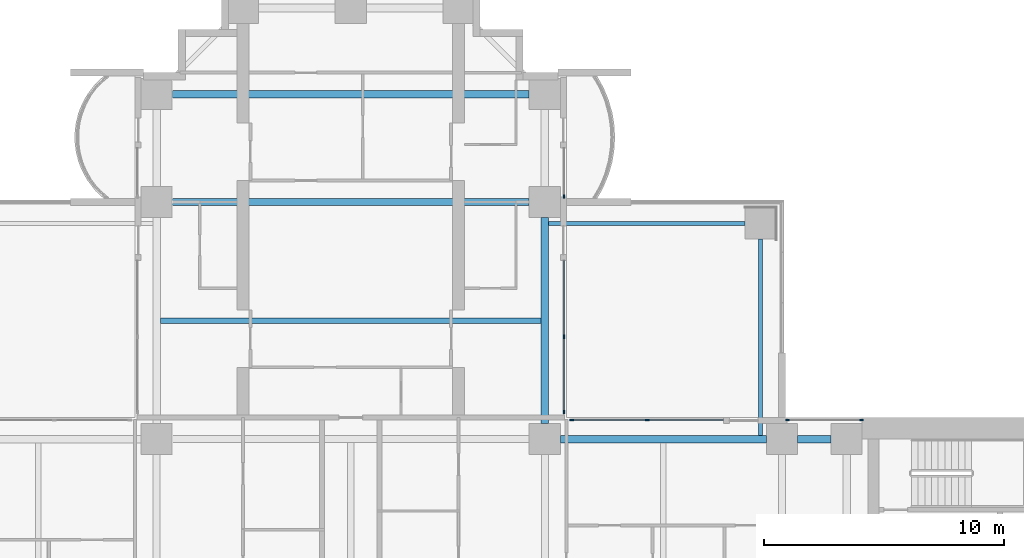
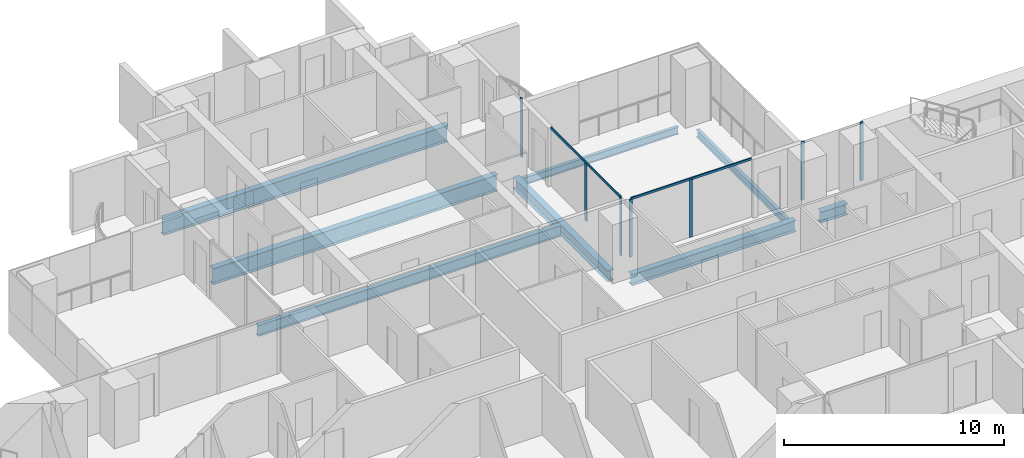
# One storey, part 6 of 21: 9 members, 8 beams, 4 elements without a shape of their own.
"""IFC4 building model written with IfcOpenShell, lengths in metres."""

from ifc_helpers import new_model, si_unit, direction, frame, origin, origin_2d, place, context, subcontext, project, spatial, rectangle, i_section, extrude, material, material_profile, profile_set, type_object, element, aggregate, save


model = new_model("IFC4")

# Units and contexts
model_context = context("Model", 3, precision=1e-05, world=origin(), true_north=direction((0.0, 1.0)))
body_context = subcontext(model_context, "Body", "Model", "MODEL_VIEW")
ifc_project = project(units=[si_unit("LENGTHUNIT", "METRE"), si_unit("AREAUNIT", "SQUARE_METRE"), si_unit("VOLUMEUNIT", "CUBIC_METRE"), si_unit("PLANEANGLEUNIT", "RADIAN"), si_unit("MASSUNIT", "GRAM", prefix="KILO")], contexts=[model_context])

# Site, building, storey
site_placement = place(None, origin())
site = spatial("IfcSite", under=ifc_project, at=site_placement, CompositionType="ELEMENT")
building_placement = place(site_placement, origin())
building = spatial("IfcBuilding", under=site, at=building_placement, Name="Perihelion Cross Residences", CompositionType="ELEMENT")
storey_placement = place(building_placement, frame((0.0, 0.0, 64.5)))
storey = spatial("IfcBuildingStorey", under=building, at=storey_placement, Name="L13", CompositionType="ELEMENT", Elevation=64.5)

# Curtain wall, members
ifc_material_1 = material(Name="Bronze anodised aluminium, tinted glazing", Category="aluminium")
curtain_wall_type = type_object("IfcCurtainWallType", Name="CW1", PredefinedType="NOTDEFINED", material=ifc_material_1)
curtain_wall_1_placement = place(storey_placement, origin())
curtain_wall_1 = element("IfcCurtainWall", 1, at=curtain_wall_1_placement, inside=storey, type_object=curtain_wall_type, Name="Curtain wall CW1 L13 east side north bay 1", PredefinedType="NOTDEFINED")
ifc_material_2 = material(Name="Bronze anodised aluminium", Category="aluminium")
ifc_material_profile_1 = material_profile(ifc_material_2, rectangle(XDim=0.06005859375, YDim=0.159912109375, at=origin_2d()), Name="CW1 mullion")
ifc_profile_set_1 = profile_set([ifc_material_profile_1], Name="Bronze anodised aluminium")
member_type_1 = type_object("IfcMemberType", Name="CW1 mullion", PredefinedType="MULLION", material=ifc_profile_set_1)
member_1_placement = place(storey_placement, frame((21.320068359375, 8.89990234375, 0.0), z_axis=(0.0, 0.0, 1.0), x_axis=(0.0, -1.0, 0.0)))
member_1 = element("IfcMember", 2, at=member_1_placement, type_object=member_type_1, Name="CW1 mullion 1", PredefinedType="MULLION", context=body_context, shape_type="SweptSolid", body=[
    extrude(rectangle(XDim=0.06005859375, YDim=0.159912109375, at=origin_2d()), origin(), (0.0, 0.0, 1.0), 3.25),
])
member_2_placement = place(storey_placement, frame((18.22998046875, 8.89990234375, 0.0), z_axis=(0.0, 0.0, 1.0), x_axis=(0.0, -1.0, 0.0)))
member_2 = element("IfcMember", 3, at=member_2_placement, type_object=member_type_1, Name="CW1 mullion 2", PredefinedType="MULLION", context=body_context, shape_type="SweptSolid", body=[
    extrude(rectangle(XDim=0.06005859375, YDim=0.159912109375, at=origin_2d()), origin(), (0.0, 0.0, 1.0), 3.25),
])
aggregate(curtain_wall_1, [member_1, member_2])

curtain_wall_2_placement = place(storey_placement, origin())
curtain_wall_2 = element("IfcCurtainWall", 4, at=curtain_wall_2_placement, inside=storey, type_object=curtain_wall_type, Name="Curtain wall CW1 L13 east side north bay 2", PredefinedType="NOTDEFINED")
member_3_placement = place(storey_placement, frame((12.375, 8.89990234375, 0.0), z_axis=(0.0, 0.0, 1.0), x_axis=(0.0, -1.0, 0.0)))
member_3 = element("IfcMember", 5, at=member_3_placement, type_object=member_type_1, Name="CW1 mullion 2", PredefinedType="MULLION", context=body_context, shape_type="SweptSolid", body=[
    extrude(rectangle(XDim=0.06005859375, YDim=0.159912109375, at=origin_2d()), origin(), (0.0, 0.0, 1.0), 3.18994140625),
])
member_4_placement = place(storey_placement, frame((9.22998046875, 8.89990234375, 0.0), z_axis=(0.0, 0.0, 1.0), x_axis=(0.0, -1.0, 0.0)))
member_4 = element("IfcMember", 6, at=member_4_placement, type_object=member_type_1, Name="CW1 mullion 3", PredefinedType="MULLION", context=body_context, shape_type="SweptSolid", body=[
    extrude(rectangle(XDim=0.06005859375, YDim=0.159912109375, at=origin_2d()), origin(), (0.0, 0.0, 1.0), 3.18994140625),
])

curtain_wall_3_placement = place(storey_placement, origin())
curtain_wall_3 = element("IfcCurtainWall", 7, at=curtain_wall_3_placement, inside=storey, type_object=curtain_wall_type, Name="Curtain wall CW1 L13 north side east bay 1", PredefinedType="NOTDEFINED")
member_5_placement = place(storey_placement, frame((8.89990234375, 9.22998046875, 0.0), z_axis=(0.0, 0.0, 1.0), x_axis=(-1.0, 0.0, 0.0)))
member_5 = element("IfcMember", 8, at=member_5_placement, type_object=member_type_1, Name="CW1 mullion 1", PredefinedType="MULLION", context=body_context, shape_type="SweptSolid", body=[
    extrude(rectangle(XDim=0.06005859375, YDim=0.159912109375, at=origin_2d()), origin(), (0.0, 0.0, 1.0), 3.18994140625),
])
member_6_placement = place(storey_placement, frame((8.89990234375, 12.375, 0.0), z_axis=(0.0, 0.0, 1.0), x_axis=(-1.0, 0.0, 0.0)))
member_6 = element("IfcMember", 9, at=member_6_placement, type_object=member_type_1, Name="CW1 mullion 2", PredefinedType="MULLION", context=body_context, shape_type="SweptSolid", body=[
    extrude(rectangle(XDim=0.06005859375, YDim=0.159912109375, at=origin_2d()), origin(), (0.0, 0.0, 1.0), 3.18994140625),
])

# Curtain wall, member
curtain_wall_4_placement = place(storey_placement, origin())
curtain_wall_4 = element("IfcCurtainWall", 10, at=curtain_wall_4_placement, inside=storey, type_object=curtain_wall_type, Name="Curtain wall CW1 L13 north side east bay 2", PredefinedType="NOTDEFINED")
member_7_placement = place(storey_placement, frame((8.89990234375, 18.22998046875, 0.0), z_axis=(0.0, 0.0, 1.0), x_axis=(-1.0, 0.0, 0.0)))
member_7 = element("IfcMember", 11, at=member_7_placement, type_object=member_type_1, Name="CW1 mullion 1", PredefinedType="MULLION", context=body_context, shape_type="SweptSolid", body=[
    extrude(rectangle(XDim=0.06005859375, YDim=0.159912109375, at=origin_2d()), origin(), (0.0, 0.0, 1.0), 3.25),
])
aggregate(curtain_wall_4, [member_7])

# Member
ifc_material_3 = material(Name="Bronze anodised aluminium", Category="aluminium")
ifc_material_profile_2 = material_profile(ifc_material_3, rectangle(XDim=0.06005859375, YDim=0.1201171875, at=origin_2d()), Name="CW1 transom")
ifc_profile_set_2 = profile_set([ifc_material_profile_2], Name="Bronze anodised aluminium")
member_type_2 = type_object("IfcMemberType", Name="CW1 transom", PredefinedType="USERDEFINED", material=ifc_profile_set_2)
member_8_placement = place(storey_placement, frame((15.550048828125, 8.89990234375, 3.219970703125), z_axis=(-1.0, 0.0, 0.0), x_axis=(0.0, -1.0, 0.0)))
member_8 = element("IfcMember", 12, at=member_8_placement, type_object=member_type_2, Name="CW1 head transom", ObjectType="TRANSOM", PredefinedType="USERDEFINED", context=body_context, shape_type="SweptSolid", body=[
    extrude(rectangle(XDim=0.06005859375, YDim=0.1201171875, at=origin_2d()), origin(), (0.0, 0.0, 1.0), 6.320068359375),
])

aggregate(curtain_wall_2, [member_3, member_4, member_8])

member_9_placement = place(storey_placement, frame((8.89990234375, 9.22998046875, 3.219970703125), z_axis=(0.0, 1.0, 0.0), x_axis=(-1.0, 0.0, 0.0)))
member_9 = element("IfcMember", 13, at=member_9_placement, type_object=member_type_2, Name="CW1 head transom", ObjectType="TRANSOM", PredefinedType="USERDEFINED", context=body_context, shape_type="SweptSolid", body=[
    extrude(rectangle(XDim=0.06005859375, YDim=0.1201171875, at=origin_2d()), origin(), (0.0, 0.0, 1.0), 6.320068359375),
])

aggregate(curtain_wall_3, [member_5, member_6, member_9])

# Beams
ifc_material_4 = material(Name="Steel S355", Category="steel")
ifc_material_profile_3 = material_profile(ifc_material_4, i_section(OverallWidth=0.177978515625, OverallDepth=0.406005859375, WebThickness=0.0078125, FlangeThickness=0.0126953125, at=origin_2d()), Name="W410x60")
ifc_profile_set_3 = profile_set([ifc_material_profile_3], Name="Steel S355")
beam_type_1 = type_object("IfcBeamType", Name="Core edge beam W410x60", PredefinedType="BEAM", material=ifc_profile_set_3)
for number, where, z_axis, x_axis, name in (
    (14, (17.10009765625, 8.262451171875, -0.452880859375), (0.0, 1.0, 0.0), (-1.0, 0.0, 0.0), "Core edge beam TB2 L13 corner no. 7"),
    (15, (8.262451171875, 17.10009765625, -0.452880859375), (1.0, 0.0, 0.0), (0.0, 1.0, 0.0), "Core edge beam TB2 L13 corner no. 8"),
):
    element("IfcBeam", number, at=place(storey_placement, frame(where, z_axis=z_axis, x_axis=x_axis)), inside=storey, type_object=beam_type_1, Name=name, PredefinedType="BEAM", context=body_context, shape_type="SweptSolid", body=[
        extrude(i_section(OverallWidth=0.177978515625, OverallDepth=0.406005859375, WebThickness=0.0078125, FlangeThickness=0.0126953125, at=origin_2d()), origin(), (0.0, 0.0, 1.0), 8.1875),
    ])
ifc_material_5 = material(Name="Steel S355", Category="steel")
ifc_material_profile_4 = material_profile(ifc_material_5, i_section(OverallWidth=0.324951171875, OverallDepth=0.616943359375, WebThickness=0.013916015625, FlangeThickness=0.021484375, at=origin_2d()), Name="W610x174")
ifc_profile_set_4 = profile_set([ifc_material_profile_4], Name="Steel S355")
beam_type_2 = type_object("IfcBeamType", Name="Edge beam W610x174", PredefinedType="SPANDREL", material=ifc_profile_set_4)
beam_1_placement = place(storey_placement, frame((20.050048828125, 8.10009765625, -0.55859375), z_axis=(-1.0, 0.0, 0.0), x_axis=(0.0, -1.0, 0.0)))
element("IfcBeam", 16, at=beam_1_placement, inside=storey, type_object=beam_type_2, Name="Edge beam SB2 L13 no. 14", PredefinedType="SPANDREL", context=body_context, shape_type="SweptSolid", body=[
    extrude(i_section(OverallWidth=0.324951171875, OverallDepth=0.616943359375, WebThickness=0.013916015625, FlangeThickness=0.021484375, at=origin_2d()), origin(), (0.0, 0.0, 1.0), 1.400146484375),
])
for number, where, z_axis, x_axis, name in (
    (17, (17.35009765625, 8.10009765625, -0.55859375), (-1.0, 0.0, 0.0), (0.0, -1.0, 0.0), "Edge beam SB2 L13 no. 13"),
    (18, (8.10009765625, 8.75, -0.55859375), (0.0, 1.0, 0.0), (-1.0, 0.0, 0.0), "Edge beam SB2 L13 no. 20"),
):
    element("IfcBeam", number, at=place(storey_placement, frame(where, z_axis=z_axis, x_axis=x_axis)), inside=storey, type_object=beam_type_2, Name=name, PredefinedType="SPANDREL", context=body_context, shape_type="SweptSolid", body=[
        extrude(i_section(OverallWidth=0.324951171875, OverallDepth=0.616943359375, WebThickness=0.013916015625, FlangeThickness=0.021484375, at=origin_2d()), origin(), (0.0, 0.0, 1.0), 8.60009765625),
    ])
ifc_material_6 = material(Name="Steel S355", Category="steel")
ifc_material_profile_5 = material_profile(ifc_material_6, i_section(OverallWidth=0.304931640625, OverallDepth=0.904052734375, WebThickness=0.01513671875, FlangeThickness=0.02001953125, at=origin_2d()), Name="W920x201")
ifc_profile_set_5 = profile_set([ifc_material_profile_5], Name="Steel S355")
beam_type_3 = type_object("IfcBeamType", Name="Floor girder W920x201", PredefinedType="BEAM", material=ifc_profile_set_5)
for number, where, z_axis, x_axis, name in (
    (19, (-7.449951171875, 18.0, -0.701904296875), (1.0, 0.0, 0.0), (0.0, 1.0, 0.0), "Girder G2 L13 no. 5"),
    (20, (-7.449951171875, 22.5, -0.701904296875), (1.0, 0.0, 0.0), (0.0, 1.0, 0.0), "Girder G2 L13 no. 6"),
):
    element("IfcBeam", number, at=place(storey_placement, frame(where, z_axis=z_axis, x_axis=x_axis)), inside=storey, type_object=beam_type_3, Name=name, PredefinedType="BEAM", context=body_context, shape_type="SweptSolid", body=[
        extrude(i_section(OverallWidth=0.304931640625, OverallDepth=0.904052734375, WebThickness=0.01513671875, FlangeThickness=0.02001953125, at=origin_2d()), origin(), (0.0, 0.0, 1.0), 14.89990234375),
    ])
ifc_material_7 = material(Name="Steel S355", Category="steel")
ifc_material_profile_6 = material_profile(ifc_material_7, i_section(OverallWidth=0.22900390625, OverallDepth=0.612060546875, WebThickness=0.011962890625, FlangeThickness=0.01953125, at=origin_2d()), Name="W610x125")
ifc_profile_set_6 = profile_set([ifc_material_profile_6], Name="Steel S355")
beam_type_4 = type_object("IfcBeamType", Name="Floor joist W610x125", PredefinedType="JOIST", material=ifc_profile_set_6)
beam_2_placement = place(storey_placement, frame((-7.9375, 13.050048828125, -0.555908203125), z_axis=(1.0, 0.0, 0.0), x_axis=(0.0, 1.0, 0.0)))
element("IfcBeam", 21, at=beam_2_placement, inside=storey, type_object=beam_type_4, Name="Joist J3 L13 no. 4", PredefinedType="JOIST", context=body_context, shape_type="SweptSolid", body=[
    extrude(i_section(OverallWidth=0.22900390625, OverallDepth=0.612060546875, WebThickness=0.011962890625, FlangeThickness=0.01953125, at=origin_2d()), origin(), (0.0, 0.0, 1.0), 15.875),
])

save(model, "model.ifc")
